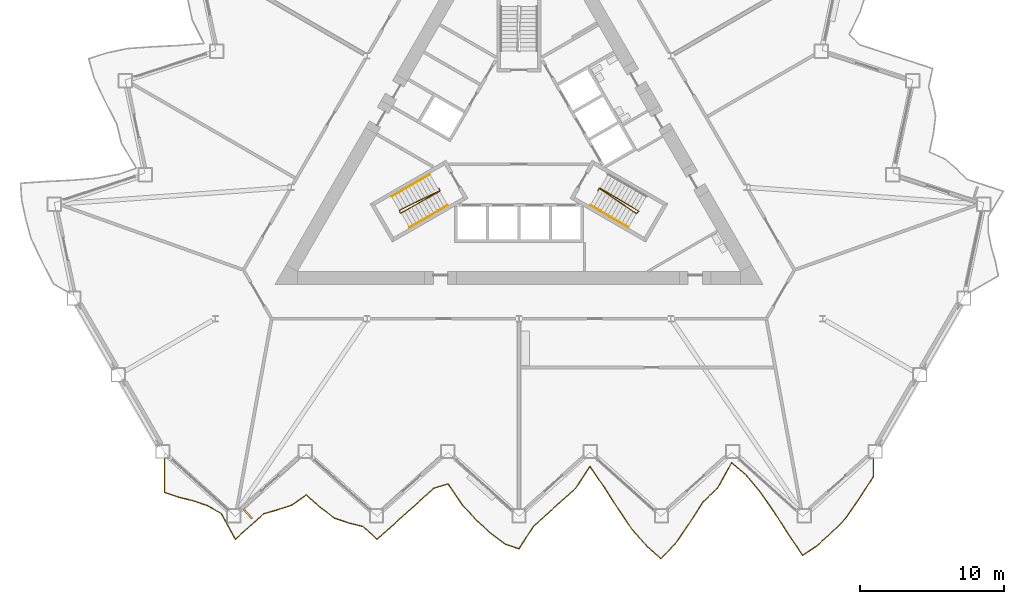
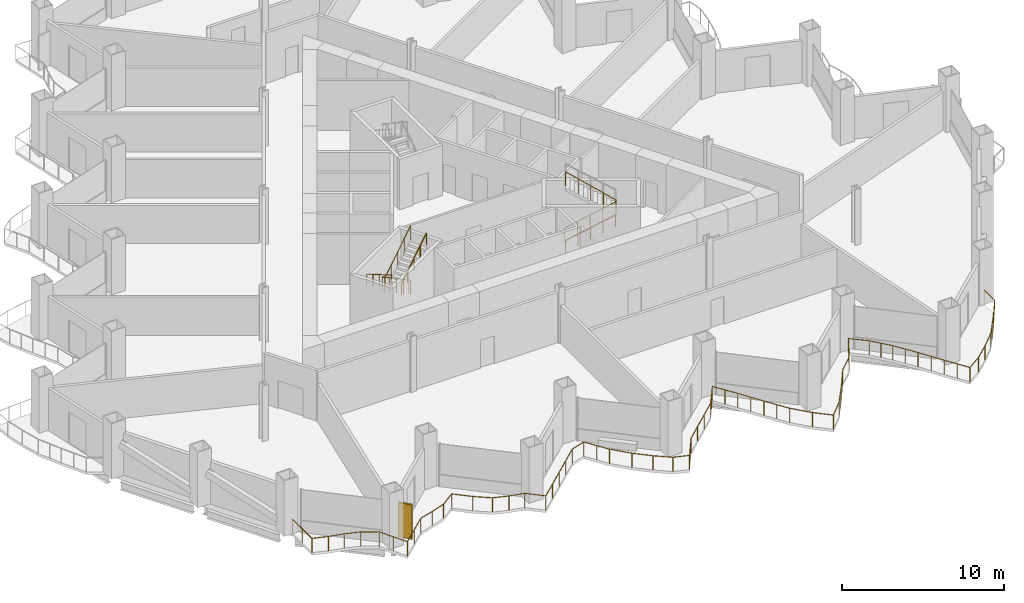
# One storey, part 17 of 21: 6 railings, 1 shading device.
"""IFC4 building model written with IfcOpenShell, lengths in metres."""

from ifc_helpers import new_model, si_unit, direction, frame, origin, origin_2d, place, context, subcontext, project, spatial, rectangle, circle, extrude, material, layer, layer_set, type_object, element, save


model = new_model("IFC4")

# Units and contexts
model_context = context("Model", 3, precision=1e-05, world=origin(), true_north=direction((0.0, 1.0)))
body_context = subcontext(model_context, "Body", "Model", "MODEL_VIEW")
ifc_project = project(units=[si_unit("LENGTHUNIT", "METRE"), si_unit("AREAUNIT", "SQUARE_METRE"), si_unit("VOLUMEUNIT", "CUBIC_METRE"), si_unit("PLANEANGLEUNIT", "RADIAN"), si_unit("MASSUNIT", "GRAM", prefix="KILO")], contexts=[model_context])

# Site, building, storey
site_placement = place(None, origin())
site = spatial("IfcSite", under=ifc_project, at=site_placement, CompositionType="ELEMENT")
building_placement = place(site_placement, origin())
building = spatial("IfcBuilding", under=site, at=building_placement, Name="Cormorant Prow Tower", CompositionType="ELEMENT")
storey_placement = place(building_placement, frame((0.0, 0.0, 76.199951171875)))
storey = spatial("IfcBuildingStorey", under=building, at=storey_placement, Name="L16", CompositionType="ELEMENT", Elevation=76.199951171875)

# Railings
ifc_material_1 = material(Name="Aluminium 6063-T6", Category="aluminium")
railing_type_1 = type_object("IfcRailingType", Name="Balcony guard 1100", PredefinedType="GUARDRAIL", material=ifc_material_1)
railing_1_placement = place(storey_placement, frame((-24.7021484375, -21.913818359375, 0.0)))
element("IfcRailing", 1, at=railing_1_placement, inside=storey, type_object=railing_type_1, Name="Balcony guard S", PredefinedType="GUARDRAIL", context=body_context, shape_type="SweptSolid", body=[
    extrude(circle(Radius=0.02392578125, at=origin_2d()), frame((0.0, 0.0, 1.076171875), z_axis=(0.0, -1.0, 0.0), x_axis=(1.0, 0.0, 0.0)), (0.0, 0.0, 1.0), 2.404052734375),
    extrude(circle(Radius=0.02392578125, at=origin_2d()), frame((0.0, -2.404052734375, 1.076171875), z_axis=(0.948190131152, -0.317703439052, 0.0), x_axis=(0.317703439052, 0.948190131152, 0.0)), (0.0, 0.0, 1.0), 1.0419921875),
    extrude(circle(Radius=0.02392578125, at=origin_2d()), frame((0.988037109375, -2.735107421875, 1.076171875), z_axis=(0.97074618977, -0.240107965397, 0.0), x_axis=(0.240107965397, 0.97074618977, 0.0)), (0.0, 0.0, 1.0), 1.017822265625),
    extrude(circle(Radius=0.02392578125, at=origin_2d()), frame((1.97607421875, -2.9794921875, 1.076171875), z_axis=(0.948636418242, -0.316368370708, 0.0), x_axis=(0.316368370708, 0.948636418242, 0.0)), (0.0, 0.0, 1.0), 1.041748046875),
    extrude(circle(Radius=0.02392578125, at=origin_2d()), frame((2.96435546875, -3.30908203125, 1.076171875), z_axis=(0.868388356242, -0.495884727273, 0.0), x_axis=(0.495884727273, 0.868388356242, 0.0)), (0.0, 0.0, 1.0), 1.1376953125),
    extrude(circle(Radius=0.02392578125, at=origin_2d()), frame((3.952392578125, -3.873291015625, 1.076171875), z_axis=(0.482179429385, -0.876072484375, 0.0), x_axis=(0.876072484375, 0.482179429385, 0.0)), (0.0, 0.0, 1.0), 2.049072265625),
    extrude(circle(Radius=0.02392578125, at=origin_2d()), frame((4.9404296875, -5.66845703125, 1.076171875), z_axis=(0.743138905534, 0.669137181064, 0.0), x_axis=(-0.669137181064, 0.743138905534, 0.0)), (0.0, 0.0, 1.0), 1.32958984375),
    extrude(circle(Radius=0.02392578125, at=origin_2d()), frame((5.928466796875, -4.77880859375, 1.076171875), z_axis=(0.743138905534, 0.669137181064, 0.0), x_axis=(-0.669137181064, 0.743138905534, 0.0)), (0.0, 0.0, 1.0), 1.32958984375),
    extrude(circle(Radius=0.02392578125, at=origin_2d()), frame((6.91650390625, -3.88916015625, 1.076171875), z_axis=(0.962042510506, 0.272899629864, 0.0), x_axis=(-0.272899629864, 0.962042510506, 0.0)), (0.0, 0.0, 1.0), 1.027099609375),
    extrude(circle(Radius=0.02392578125, at=origin_2d()), frame((7.904541015625, -3.60888671875, 1.076171875), z_axis=(0.94940785685, 0.314045731305, 0.0), x_axis=(-0.314045731305, 0.94940785685, 0.0)), (0.0, 0.0, 1.0), 1.041015625),
    extrude(circle(Radius=0.02392578125, at=origin_2d()), frame((8.892822265625, -3.281982421875, 1.076171875), z_axis=(0.811328955943, 0.584589877818, 0.0), x_axis=(-0.584589877818, 0.811328955943, 0.0)), (0.0, 0.0, 1.0), 1.2177734375),
    extrude(circle(Radius=0.02392578125, at=origin_2d()), frame((9.880859375, -2.570068359375, 1.076171875), z_axis=(0.743138905534, -0.669137181064, 0.0), x_axis=(0.669137181064, 0.743138905534, 0.0)), (0.0, 0.0, 1.0), 1.32958984375),
    extrude(circle(Radius=0.02392578125, at=origin_2d()), frame((10.868896484375, -3.459716796875, 1.076171875), z_axis=(0.800782885932, -0.598954730842, 0.0), x_axis=(0.598954730842, 0.800782885932, 0.0)), (0.0, 0.0, 1.0), 1.23388671875),
    extrude(circle(Radius=0.02392578125, at=origin_2d()), frame((11.85693359375, -4.19873046875, 1.076171875), z_axis=(0.946510188179, -0.322673927788, 0.0), x_axis=(0.322673927788, 0.946510188179, 0.0)), (0.0, 0.0, 1.0), 1.044189453125),
    extrude(circle(Radius=0.02392578125, at=origin_2d()), frame((12.84521484375, -4.53564453125, 1.076171875), z_axis=(0.97074618977, -0.240107965397, 0.0), x_axis=(0.240107965397, 0.97074618977, 0.0)), (0.0, 0.0, 1.0), 1.017822265625),
    extrude(circle(Radius=0.02392578125, at=origin_2d()), frame((13.833251953125, -4.780029296875, 1.076171875), z_axis=(0.743595566693, -0.668629668198, 0.0), x_axis=(0.668629668198, 0.743595566693, 0.0)), (0.0, 0.0, 1.0), 1.32861328125),
    extrude(circle(Radius=0.02392578125, at=origin_2d()), frame((14.8212890625, -5.66845703125, 1.076171875), z_axis=(0.743138905534, 0.669137181064, 0.0), x_axis=(-0.669137181064, 0.743138905534, 0.0)), (0.0, 0.0, 1.0), 1.32958984375),
    extrude(circle(Radius=0.02392578125, at=origin_2d()), frame((15.809326171875, -4.77880859375, 1.076171875), z_axis=(0.743138905534, 0.669137181064, 0.0), x_axis=(-0.669137181064, 0.743138905534, 0.0)), (0.0, 0.0, 1.0), 1.32958984375),
    extrude(circle(Radius=0.02392578125, at=origin_2d()), frame((16.79736328125, -3.88916015625, 1.076171875), z_axis=(0.743221106747, 0.669045877714, 0.0), x_axis=(-0.669045877714, 0.743221106747, 0.0)), (0.0, 0.0, 1.0), 1.329833984375),
    extrude(circle(Radius=0.02392578125, at=origin_2d()), frame((17.78564453125, -2.99951171875, 1.076171875), z_axis=(0.743138905534, 0.669137181064, 0.0), x_axis=(-0.669137181064, 0.743138905534, 0.0)), (0.0, 0.0, 1.0), 1.32958984375),
    extrude(circle(Radius=0.02392578125, at=origin_2d()), frame((18.773681640625, -2.10986328125, 1.076171875), z_axis=(0.956390087859, 0.292092450851, 0.0), x_axis=(-0.292092450851, 0.956390087859, 0.0)), (0.0, 0.0, 1.0), 1.033203125),
    extrude(circle(Radius=0.02392578125, at=origin_2d()), frame((19.76171875, -1.80810546875, 1.076171875), z_axis=(0.560986063044, -0.82782524549, 0.0), x_axis=(0.82782524549, 0.560986063044, 0.0)), (0.0, 0.0, 1.0), 1.76123046875),
    extrude(circle(Radius=0.02392578125, at=origin_2d()), frame((20.749755859375, -3.26611328125, 1.076171875), z_axis=(0.673890236732, -0.738831475261, 0.0), x_axis=(0.738831475261, 0.673890236732, 0.0)), (0.0, 0.0, 1.0), 1.466064453125),
    extrude(circle(Radius=0.02392578125, at=origin_2d()), frame((21.73779296875, -4.349365234375, 1.076171875), z_axis=(0.743138905534, -0.669137181064, 0.0), x_axis=(0.669137181064, 0.743138905534, 0.0)), (0.0, 0.0, 1.0), 1.32958984375),
    extrude(circle(Radius=0.02392578125, at=origin_2d()), frame((22.725830078125, -5.239013671875, 1.076171875), z_axis=(0.794976169814, -0.606640659228, 0.0), x_axis=(0.606640659228, 0.794976169814, 0.0)), (0.0, 0.0, 1.0), 1.2431640625),
    extrude(circle(Radius=0.02392578125, at=origin_2d()), frame((23.714111328125, -5.9931640625, 1.076171875), z_axis=(0.944761037783, -0.327759944909, 0.0), x_axis=(0.327759944909, 0.944761037783, 0.0)), (0.0, 0.0, 1.0), 1.0458984375),
    extrude(circle(Radius=0.02392578125, at=origin_2d()), frame((24.7021484375, -6.3359375, 1.076171875), z_axis=(0.541386229639, 0.840774018602, 0.0), x_axis=(-0.840774018602, 0.541386229639, 0.0)), (0.0, 0.0, 1.0), 1.824951171875),
    extrude(circle(Radius=0.02392578125, at=origin_2d()), frame((25.690185546875, -4.801513671875, 1.076171875), z_axis=(0.734768648646, 0.67831779644, 0.0), x_axis=(-0.67831779644, 0.734768648646, 0.0)), (0.0, 0.0, 1.0), 1.344970703125),
    extrude(circle(Radius=0.02392578125, at=origin_2d()), frame((26.678466796875, -3.88916015625, 1.076171875), z_axis=(0.743138905534, 0.669137181064, 0.0), x_axis=(-0.669137181064, 0.743138905534, 0.0)), (0.0, 0.0, 1.0), 1.32958984375),
    extrude(circle(Radius=0.02392578125, at=origin_2d()), frame((27.66650390625, -2.99951171875, 1.076171875), z_axis=(0.743138905534, 0.669137181064, 0.0), x_axis=(-0.669137181064, 0.743138905534, 0.0)), (0.0, 0.0, 1.0), 1.32958984375),
    extrude(circle(Radius=0.02392578125, at=origin_2d()), frame((28.654541015625, -2.10986328125, 1.076171875), z_axis=(0.547096376905, 0.837069623375, 0.0), x_axis=(-0.837069623375, 0.547096376905, 0.0)), (0.0, 0.0, 1.0), 1.805908203125),
    extrude(circle(Radius=0.02392578125, at=origin_2d()), frame((29.642578125, -0.59814453125, 1.076171875), z_axis=(0.567480618959, -0.823386754269, 0.0), x_axis=(0.823386754269, 0.567480618959, 0.0)), (0.0, 0.0, 1.0), 1.7412109375),
    extrude(circle(Radius=0.02392578125, at=origin_2d()), frame((30.630615234375, -2.03173828125, 1.076171875), z_axis=(0.541447127104, -0.840734802748, 0.0), x_axis=(0.840734802748, 0.541447127104, 0.0)), (0.0, 0.0, 1.0), 1.82470703125),
    extrude(circle(Radius=0.02392578125, at=origin_2d()), frame((31.61865234375, -3.56591796875, 1.076171875), z_axis=(0.559667552129, -0.828717220223, 0.0), x_axis=(0.828717220223, 0.559667552129, 0.0)), (0.0, 0.0, 1.0), 1.765869140625),
    extrude(circle(Radius=0.02392578125, at=origin_2d()), frame((32.60693359375, -5.029296875, 1.076171875), z_axis=(0.668444418094, -0.743762099006, 0.0), x_axis=(0.743762099006, 0.668444418094, 0.0)), (0.0, 0.0, 1.0), 1.47802734375),
    extrude(circle(Radius=0.02392578125, at=origin_2d()), frame((33.594970703125, -6.128662109375, 1.076171875), z_axis=(0.743047599076, -0.669238571443, 0.0), x_axis=(0.669238571443, 0.743047599076, 0.0)), (0.0, 0.0, 1.0), 1.32958984375),
    extrude(circle(Radius=0.02392578125, at=origin_2d()), frame((34.5830078125, -7.0185546875, 1.076171875), z_axis=(0.699115669359, 0.71500858796, 0.0), x_axis=(-0.71500858796, 0.699115669359, 0.0)), (0.0, 0.0, 1.0), 1.413330078125),
    extrude(circle(Radius=0.02392578125, at=origin_2d()), frame((35.571044921875, -6.008056640625, 1.076171875), z_axis=(0.568333352067, 0.822798396284, 0.0), x_axis=(-0.822798396284, 0.568333352067, 0.0)), (0.0, 0.0, 1.0), 1.738525390625),
    extrude(circle(Radius=0.02392578125, at=origin_2d()), frame((36.55908203125, -4.57763671875, 1.076171875), z_axis=(0.541602594243, 0.840634658999, 0.0), x_axis=(-0.840634658999, 0.541602594243, 0.0)), (0.0, 0.0, 1.0), 1.82470703125),
    extrude(circle(Radius=0.02392578125, at=origin_2d()), frame((37.54736328125, -3.043701171875, 1.076171875), z_axis=(0.726759113227, 0.686892416134, 0.0), x_axis=(-0.686892416134, 0.726759113227, 0.0)), (0.0, 0.0, 1.0), 1.359619140625),
    extrude(circle(Radius=0.02392578125, at=origin_2d()), frame((38.535400390625, -2.10986328125, 1.076171875), z_axis=(0.486132407498, 0.873885165443, 0.0), x_axis=(-0.873885165443, 0.486132407498, 0.0)), (0.0, 0.0, 1.0), 2.032470703125),
    extrude(circle(Radius=0.02392578125, at=origin_2d()), frame((39.5234375, -0.333740234375, 1.076171875), z_axis=(0.75757593493, -0.652747043514, 0.0), x_axis=(0.652747043514, 0.75757593493, 0.0)), (0.0, 0.0, 1.0), 1.30419921875),
    extrude(circle(Radius=0.02392578125, at=origin_2d()), frame((40.511474609375, -1.18505859375, 1.076171875), z_axis=(0.642804697736, -0.766030104219, 0.0), x_axis=(0.766030104219, 0.642804697736, 0.0)), (0.0, 0.0, 1.0), 1.537353515625),
    extrude(circle(Radius=0.02392578125, at=origin_2d()), frame((41.499755859375, -2.36279296875, 1.076171875), z_axis=(0.569122223607, -0.822252938332, 0.0), x_axis=(0.822252938332, 0.569122223607, 0.0)), (0.0, 0.0, 1.0), 1.736083984375),
    extrude(circle(Radius=0.02392578125, at=origin_2d()), frame((42.48779296875, -3.790283203125, 1.076171875), z_axis=(0.541568954613, -0.840656331327, 0.0), x_axis=(0.840656331327, 0.541568954613, 0.0)), (0.0, 0.0, 1.0), 1.824462890625),
    extrude(circle(Radius=0.02392578125, at=origin_2d()), frame((43.475830078125, -5.323974609375, 1.076171875), z_axis=(0.558292379585, -0.829644272503, 0.0), x_axis=(0.829644272503, 0.558292379585, 0.0)), (0.0, 0.0, 1.0), 1.769775390625),
    extrude(circle(Radius=0.02392578125, at=origin_2d()), frame((44.4638671875, -6.792236328125, 1.076171875), z_axis=(0.830151959894, 0.55753719471, 0.0), x_axis=(-0.55753719471, 0.830151959894, 0.0)), (0.0, 0.0, 1.0), 1.190185546875),
    extrude(circle(Radius=0.02392578125, at=origin_2d()), frame((45.451904296875, -6.128662109375, 1.076171875), z_axis=(0.743138905534, 0.669137181064, 0.0), x_axis=(-0.669137181064, 0.743138905534, 0.0)), (0.0, 0.0, 1.0), 1.32958984375),
    extrude(circle(Radius=0.02392578125, at=origin_2d()), frame((46.43994140625, -5.239013671875, 1.076171875), z_axis=(0.704404436261, 0.709798837823, 0.0), x_axis=(-0.709798837823, 0.704404436261, 0.0)), (0.0, 0.0, 1.0), 1.403076171875),
    extrude(circle(Radius=0.02392578125, at=origin_2d()), frame((47.42822265625, -4.2431640625, 1.076171875), z_axis=(0.570044680317, 0.821613694166, 0.0), x_axis=(-0.821613694166, 0.570044680317, 0.0)), (0.0, 0.0, 1.0), 1.733154296875),
    extrude(circle(Radius=0.02392578125, at=origin_2d()), frame((48.416259765625, -2.819091796875, 1.076171875), z_axis=(0.541690825575, 0.840577806921, 0.0), x_axis=(-0.840577806921, 0.541690825575, 0.0)), (0.0, 0.0, 1.0), 1.823974609375),
    extrude(circle(Radius=0.02392578125, at=origin_2d()), frame((49.404296875, -1.285888671875, 1.076171875), z_axis=(0.0, 1.0, 0.0), x_axis=(-1.0, 0.0, 0.0)), (0.0, 0.0, 1.0), 1.285888671875),
    extrude(circle(Radius=0.02099609375, at=origin_2d()), origin(), (0.0, 0.0, 1.0), 1.052001953125),
    extrude(circle(Radius=0.02099609375, at=origin_2d()), frame((0.0, -1.2021484375, 0.0)), (0.0, 0.0, 1.0), 1.052001953125),
    extrude(circle(Radius=0.02099609375, at=origin_2d()), frame((0.0, -2.404052734375, 0.0)), (0.0, 0.0, 1.0), 1.052001953125),
    extrude(circle(Radius=0.02099609375, at=origin_2d()), frame((0.988037109375, -2.735107421875, 0.0)), (0.0, 0.0, 1.0), 1.052001953125),
    extrude(circle(Radius=0.02099609375, at=origin_2d()), frame((1.97607421875, -2.9794921875, 0.0)), (0.0, 0.0, 1.0), 1.052001953125),
    extrude(circle(Radius=0.02099609375, at=origin_2d()), frame((2.96435546875, -3.30908203125, 0.0)), (0.0, 0.0, 1.0), 1.052001953125),
    extrude(circle(Radius=0.02099609375, at=origin_2d()), frame((3.952392578125, -3.873291015625, 0.0)), (0.0, 0.0, 1.0), 1.052001953125),
    extrude(circle(Radius=0.02099609375, at=origin_2d()), frame((4.4462890625, -4.77099609375, 0.0)), (0.0, 0.0, 1.0), 1.052001953125),
    extrude(circle(Radius=0.02099609375, at=origin_2d()), frame((4.9404296875, -5.66845703125, 0.0)), (0.0, 0.0, 1.0), 1.052001953125),
    extrude(circle(Radius=0.02099609375, at=origin_2d()), frame((5.928466796875, -4.77880859375, 0.0)), (0.0, 0.0, 1.0), 1.052001953125),
    extrude(circle(Radius=0.02099609375, at=origin_2d()), frame((6.91650390625, -3.88916015625, 0.0)), (0.0, 0.0, 1.0), 1.052001953125),
    extrude(circle(Radius=0.02099609375, at=origin_2d()), frame((7.904541015625, -3.60888671875, 0.0)), (0.0, 0.0, 1.0), 1.052001953125),
    extrude(circle(Radius=0.02099609375, at=origin_2d()), frame((8.892822265625, -3.281982421875, 0.0)), (0.0, 0.0, 1.0), 1.052001953125),
    extrude(circle(Radius=0.02099609375, at=origin_2d()), frame((9.880859375, -2.570068359375, 0.0)), (0.0, 0.0, 1.0), 1.052001953125),
    extrude(circle(Radius=0.02099609375, at=origin_2d()), frame((10.868896484375, -3.459716796875, 0.0)), (0.0, 0.0, 1.0), 1.052001953125),
    extrude(circle(Radius=0.02099609375, at=origin_2d()), frame((11.85693359375, -4.19873046875, 0.0)), (0.0, 0.0, 1.0), 1.052001953125),
    extrude(circle(Radius=0.02099609375, at=origin_2d()), frame((12.84521484375, -4.53564453125, 0.0)), (0.0, 0.0, 1.0), 1.052001953125),
    extrude(circle(Radius=0.02099609375, at=origin_2d()), frame((13.833251953125, -4.780029296875, 0.0)), (0.0, 0.0, 1.0), 1.052001953125),
    extrude(circle(Radius=0.02099609375, at=origin_2d()), frame((14.8212890625, -5.66845703125, 0.0)), (0.0, 0.0, 1.0), 1.052001953125),
    extrude(circle(Radius=0.02099609375, at=origin_2d()), frame((15.809326171875, -4.77880859375, 0.0)), (0.0, 0.0, 1.0), 1.052001953125),
    extrude(circle(Radius=0.02099609375, at=origin_2d()), frame((16.79736328125, -3.88916015625, 0.0)), (0.0, 0.0, 1.0), 1.052001953125),
    extrude(circle(Radius=0.02099609375, at=origin_2d()), frame((17.78564453125, -2.99951171875, 0.0)), (0.0, 0.0, 1.0), 1.052001953125),
    extrude(circle(Radius=0.02099609375, at=origin_2d()), frame((18.773681640625, -2.10986328125, 0.0)), (0.0, 0.0, 1.0), 1.052001953125),
    extrude(circle(Radius=0.02099609375, at=origin_2d()), frame((19.76171875, -1.80810546875, 0.0)), (0.0, 0.0, 1.0), 1.052001953125),
    extrude(circle(Radius=0.02099609375, at=origin_2d()), frame((20.255859375, -2.537109375, 0.0)), (0.0, 0.0, 1.0), 1.052001953125),
    extrude(circle(Radius=0.02099609375, at=origin_2d()), frame((20.749755859375, -3.26611328125, 0.0)), (0.0, 0.0, 1.0), 1.052001953125),
    extrude(circle(Radius=0.02099609375, at=origin_2d()), frame((21.73779296875, -4.349365234375, 0.0)), (0.0, 0.0, 1.0), 1.052001953125),
    extrude(circle(Radius=0.02099609375, at=origin_2d()), frame((22.725830078125, -5.239013671875, 0.0)), (0.0, 0.0, 1.0), 1.052001953125),
    extrude(circle(Radius=0.02099609375, at=origin_2d()), frame((23.714111328125, -5.9931640625, 0.0)), (0.0, 0.0, 1.0), 1.052001953125),
    extrude(circle(Radius=0.02099609375, at=origin_2d()), frame((24.7021484375, -6.3359375, 0.0)), (0.0, 0.0, 1.0), 1.052001953125),
    extrude(circle(Radius=0.02099609375, at=origin_2d()), frame((25.1962890625, -5.56884765625, 0.0)), (0.0, 0.0, 1.0), 1.052001953125),
    extrude(circle(Radius=0.02099609375, at=origin_2d()), frame((25.690185546875, -4.801513671875, 0.0)), (0.0, 0.0, 1.0), 1.052001953125),
    extrude(circle(Radius=0.02099609375, at=origin_2d()), frame((26.678466796875, -3.88916015625, 0.0)), (0.0, 0.0, 1.0), 1.052001953125),
    extrude(circle(Radius=0.02099609375, at=origin_2d()), frame((27.66650390625, -2.99951171875, 0.0)), (0.0, 0.0, 1.0), 1.052001953125),
    extrude(circle(Radius=0.02099609375, at=origin_2d()), frame((28.654541015625, -2.10986328125, 0.0)), (0.0, 0.0, 1.0), 1.052001953125),
    extrude(circle(Radius=0.02099609375, at=origin_2d()), frame((29.1484375, -1.35400390625, 0.0)), (0.0, 0.0, 1.0), 1.052001953125),
    extrude(circle(Radius=0.02099609375, at=origin_2d()), frame((29.642578125, -0.59814453125, 0.0)), (0.0, 0.0, 1.0), 1.052001953125),
    extrude(circle(Radius=0.02099609375, at=origin_2d()), frame((30.13671875, -1.31494140625, 0.0)), (0.0, 0.0, 1.0), 1.052001953125),
    extrude(circle(Radius=0.02099609375, at=origin_2d()), frame((30.630615234375, -2.03173828125, 0.0)), (0.0, 0.0, 1.0), 1.052001953125),
    extrude(circle(Radius=0.02099609375, at=origin_2d()), frame((31.12451171875, -2.798828125, 0.0)), (0.0, 0.0, 1.0), 1.052001953125),
    extrude(circle(Radius=0.02099609375, at=origin_2d()), frame((31.61865234375, -3.56591796875, 0.0)), (0.0, 0.0, 1.0), 1.052001953125),
    extrude(circle(Radius=0.02099609375, at=origin_2d()), frame((32.11279296875, -4.297607421875, 0.0)), (0.0, 0.0, 1.0), 1.052001953125),
    extrude(circle(Radius=0.02099609375, at=origin_2d()), frame((32.60693359375, -5.029296875, 0.0)), (0.0, 0.0, 1.0), 1.052001953125),
    extrude(circle(Radius=0.02099609375, at=origin_2d()), frame((33.594970703125, -6.128662109375, 0.0)), (0.0, 0.0, 1.0), 1.052001953125),
    extrude(circle(Radius=0.02099609375, at=origin_2d()), frame((34.5830078125, -7.0185546875, 0.0)), (0.0, 0.0, 1.0), 1.052001953125),
    extrude(circle(Radius=0.02099609375, at=origin_2d()), frame((35.571044921875, -6.008056640625, 0.0)), (0.0, 0.0, 1.0), 1.052001953125),
    extrude(circle(Radius=0.02099609375, at=origin_2d()), frame((36.06494140625, -5.29296875, 0.0)), (0.0, 0.0, 1.0), 1.052001953125),
    extrude(circle(Radius=0.02099609375, at=origin_2d()), frame((36.55908203125, -4.57763671875, 0.0)), (0.0, 0.0, 1.0), 1.052001953125),
    extrude(circle(Radius=0.02099609375, at=origin_2d()), frame((37.05322265625, -3.810546875, 0.0)), (0.0, 0.0, 1.0), 1.052001953125),
    extrude(circle(Radius=0.02099609375, at=origin_2d()), frame((37.54736328125, -3.043701171875, 0.0)), (0.0, 0.0, 1.0), 1.052001953125),
    extrude(circle(Radius=0.02099609375, at=origin_2d()), frame((38.535400390625, -2.10986328125, 0.0)), (0.0, 0.0, 1.0), 1.052001953125),
    extrude(circle(Radius=0.02099609375, at=origin_2d()), frame((39.029296875, -1.2216796875, 0.0)), (0.0, 0.0, 1.0), 1.052001953125),
    extrude(circle(Radius=0.02099609375, at=origin_2d()), frame((39.5234375, -0.333740234375, 0.0)), (0.0, 0.0, 1.0), 1.052001953125),
    extrude(circle(Radius=0.02099609375, at=origin_2d()), frame((40.511474609375, -1.18505859375, 0.0)), (0.0, 0.0, 1.0), 1.052001953125),
    extrude(circle(Radius=0.02099609375, at=origin_2d()), frame((41.005615234375, -1.77392578125, 0.0)), (0.0, 0.0, 1.0), 1.052001953125),
    extrude(circle(Radius=0.02099609375, at=origin_2d()), frame((41.499755859375, -2.36279296875, 0.0)), (0.0, 0.0, 1.0), 1.052001953125),
    extrude(circle(Radius=0.02099609375, at=origin_2d()), frame((41.99365234375, -3.07666015625, 0.0)), (0.0, 0.0, 1.0), 1.052001953125),
    extrude(circle(Radius=0.02099609375, at=origin_2d()), frame((42.48779296875, -3.790283203125, 0.0)), (0.0, 0.0, 1.0), 1.052001953125),
    extrude(circle(Radius=0.02099609375, at=origin_2d()), frame((42.98193359375, -4.55712890625, 0.0)), (0.0, 0.0, 1.0), 1.052001953125),
    extrude(circle(Radius=0.02099609375, at=origin_2d()), frame((43.475830078125, -5.323974609375, 0.0)), (0.0, 0.0, 1.0), 1.052001953125),
    extrude(circle(Radius=0.02099609375, at=origin_2d()), frame((43.9697265625, -6.05810546875, 0.0)), (0.0, 0.0, 1.0), 1.052001953125),
    extrude(circle(Radius=0.02099609375, at=origin_2d()), frame((44.4638671875, -6.792236328125, 0.0)), (0.0, 0.0, 1.0), 1.052001953125),
    extrude(circle(Radius=0.02099609375, at=origin_2d()), frame((45.451904296875, -6.128662109375, 0.0)), (0.0, 0.0, 1.0), 1.052001953125),
    extrude(circle(Radius=0.02099609375, at=origin_2d()), frame((46.43994140625, -5.239013671875, 0.0)), (0.0, 0.0, 1.0), 1.052001953125),
    extrude(circle(Radius=0.02099609375, at=origin_2d()), frame((47.42822265625, -4.2431640625, 0.0)), (0.0, 0.0, 1.0), 1.052001953125),
    extrude(circle(Radius=0.02099609375, at=origin_2d()), frame((47.92236328125, -3.53125, 0.0)), (0.0, 0.0, 1.0), 1.052001953125),
    extrude(circle(Radius=0.02099609375, at=origin_2d()), frame((48.416259765625, -2.819091796875, 0.0)), (0.0, 0.0, 1.0), 1.052001953125),
    extrude(circle(Radius=0.02099609375, at=origin_2d()), frame((48.91015625, -2.052490234375, 0.0)), (0.0, 0.0, 1.0), 1.052001953125),
    extrude(circle(Radius=0.02099609375, at=origin_2d()), frame((49.404296875, -1.285888671875, 0.0)), (0.0, 0.0, 1.0), 1.052001953125),
    extrude(circle(Radius=0.02099609375, at=origin_2d()), frame((49.404296875, 0.0, 0.0)), (0.0, 0.0, 1.0), 1.052001953125),
])
ifc_material_2 = material(Name="Stainless steel", Category="steel")
railing_type_2 = type_object("IfcRailingType", Name="Stair guard 1100", PredefinedType="GUARDRAIL", material=ifc_material_2)
railing_2_placement = place(storey_placement, frame((-5.585205078125, -3.137939453125, 0.0)))
element("IfcRailing", 2, at=railing_2_placement, inside=storey, type_object=railing_type_2, Name="L16 ST1 stair guard 1", PredefinedType="GUARDRAIL", context=body_context, shape_type="SweptSolid", body=[
    extrude(circle(Radius=0.02392578125, at=origin_2d()), frame((0.0, 0.0, 1.076171875), z_axis=(0.501036270542, -0.865426285481, 0.0), x_axis=(0.865426285481, 0.501036270542, 0.0)), (0.0, 0.0, 1.0), 0.150146484375),
    extrude(circle(Radius=0.02392578125, at=origin_2d()), frame((0.0751953125, -0.1298828125, 1.076171875), z_axis=(-0.744644002882, -0.368732342607, 0.556364780057), x_axis=(0.443754251299, -0.896148516963, 0.0)), (0.0, 0.0, 1.0), 3.774658203125),
    extrude(circle(Radius=0.02392578125, at=origin_2d()), frame((-2.735595703125, -1.521728515625, 3.17626953125), z_axis=(0.274721127897, -0.961523947641, 0.0), x_axis=(0.961523947641, 0.274721127897, 0.0)), (0.0, 0.0, 1.0), 0.2060546875),
    extrude(circle(Radius=0.02392578125, at=origin_2d()), frame((-2.678955078125, -1.719970703125, 3.17626953125), z_axis=(0.725764528363, 0.403684660475, 0.557049857973), x_axis=(-0.486086505765, 0.873910698477, 0.0)), (0.0, 0.0, 1.0), 3.76953125),
    extrude(circle(Radius=0.02099609375, at=origin_2d()), origin(), (0.0, 0.0, 1.0), 1.052001953125),
    extrude(circle(Radius=0.02099609375, at=origin_2d()), frame((0.0751953125, -0.1298828125, 0.0)), (0.0, 0.0, 1.0), 1.052001953125),
    extrude(circle(Radius=0.02099609375, at=origin_2d()), frame((-0.62744140625, -0.477783203125, 0.52490234375)), (0.0, 0.0, 1.0), 1.052001953125),
    extrude(circle(Radius=0.02099609375, at=origin_2d()), frame((-1.330078125, -0.82568359375, 1.050048828125)), (0.0, 0.0, 1.0), 1.052001953125),
    extrude(circle(Radius=0.02099609375, at=origin_2d()), frame((-2.032958984375, -1.173828125, 1.5751953125)), (0.0, 0.0, 1.0), 1.052001953125),
    extrude(circle(Radius=0.02099609375, at=origin_2d()), frame((-2.735595703125, -1.521728515625, 2.10009765625)), (0.0, 0.0, 1.0), 1.052001953125),
    extrude(circle(Radius=0.02099609375, at=origin_2d()), frame((-2.678955078125, -1.719970703125, 2.10009765625)), (0.0, 0.0, 1.0), 1.052001953125),
    extrude(circle(Radius=0.02099609375, at=origin_2d()), frame((-1.9951171875, -1.339599609375, 2.625)), (0.0, 0.0, 1.0), 1.052001953125),
    extrude(circle(Radius=0.02099609375, at=origin_2d()), frame((-1.31103515625, -0.958984375, 3.14990234375)), (0.0, 0.0, 1.0), 1.052001953125),
    extrude(circle(Radius=0.02099609375, at=origin_2d()), frame((-0.626953125, -0.57861328125, 3.675048828125)), (0.0, 0.0, 1.0), 1.052001953125),
    extrude(circle(Radius=0.02099609375, at=origin_2d()), frame((0.056884765625, -0.1982421875, 4.199951171875)), (0.0, 0.0, 1.0), 1.052001953125),
])
railing_3_placement = place(storey_placement, frame((5.510009765625, -3.267822265625, 0.0)))
element("IfcRailing", 3, at=railing_3_placement, inside=storey, type_object=railing_type_2, Name="L16 ST2 stair guard 1", PredefinedType="GUARDRAIL", context=body_context, shape_type="SweptSolid", body=[
    extrude(circle(Radius=0.02392578125, at=origin_2d()), frame((0.0, 0.0, 1.076171875), z_axis=(0.501036270542, 0.865426285481, 0.0), x_axis=(-0.865426285481, 0.501036270542, 0.0)), (0.0, 0.0, 1.0), 0.150146484375),
    extrude(circle(Radius=0.02392578125, at=origin_2d()), frame((0.0751953125, 0.1298828125, 1.076171875), z_axis=(0.691630634645, -0.46052652377, 0.556383308633), x_axis=(0.554233058506, 0.832361530141, 0.0)), (0.0, 0.0, 1.0), 3.774658203125),
    extrude(circle(Radius=0.02392578125, at=origin_2d()), frame((2.685791015625, -1.6083984375, 3.17626953125), z_axis=(0.695164929852, 0.718850276695, 0.0), x_axis=(-0.718850276695, 0.695164929852, 0.0)), (0.0, 0.0, 1.0), 0.2060546875),
    extrude(circle(Radius=0.02392578125, at=origin_2d()), frame((2.8291015625, -1.460205078125, 3.17626953125), z_axis=(-0.712489022558, 0.426677363931, 0.55705100291), x_axis=(-0.513773053629, -0.857926132814, 0.0)), (0.0, 0.0, 1.0), 3.76953125),
    extrude(circle(Radius=0.02099609375, at=origin_2d()), origin(), (0.0, 0.0, 1.0), 1.052001953125),
    extrude(circle(Radius=0.02099609375, at=origin_2d()), frame((0.0751953125, 0.1298828125, 0.0)), (0.0, 0.0, 1.0), 1.052001953125),
    extrude(circle(Radius=0.02099609375, at=origin_2d()), frame((0.727783203125, -0.3046875, 0.52490234375)), (0.0, 0.0, 1.0), 1.052001953125),
    extrude(circle(Radius=0.02099609375, at=origin_2d()), frame((1.38037109375, -0.7392578125, 1.050048828125)), (0.0, 0.0, 1.0), 1.052001953125),
    extrude(circle(Radius=0.02099609375, at=origin_2d()), frame((2.033203125, -1.173828125, 1.5751953125)), (0.0, 0.0, 1.0), 1.052001953125),
    extrude(circle(Radius=0.02099609375, at=origin_2d()), frame((2.685791015625, -1.6083984375, 2.10009765625)), (0.0, 0.0, 1.0), 1.052001953125),
    extrude(circle(Radius=0.02099609375, at=origin_2d()), frame((2.8291015625, -1.460205078125, 2.10009765625)), (0.0, 0.0, 1.0), 1.052001953125),
    extrude(circle(Radius=0.02099609375, at=origin_2d()), frame((2.15771484375, -1.05810546875, 2.625)), (0.0, 0.0, 1.0), 1.052001953125),
    extrude(circle(Radius=0.02099609375, at=origin_2d()), frame((1.486328125, -0.656005859375, 3.14990234375)), (0.0, 0.0, 1.0), 1.052001953125),
    extrude(circle(Radius=0.02099609375, at=origin_2d()), frame((0.814697265625, -0.25390625, 3.675048828125)), (0.0, 0.0, 1.0), 1.052001953125),
    extrude(circle(Radius=0.02099609375, at=origin_2d()), frame((0.143310546875, 0.148193359375, 4.199951171875)), (0.0, 0.0, 1.0), 1.052001953125),
])
ifc_material_3 = material(Name="Stainless steel", Category="steel")
railing_type_3 = type_object("IfcRailingType", Name="Stair handrail 900", PredefinedType="HANDRAIL", material=ifc_material_3)
railing_4_placement = place(storey_placement, frame((-6.212890625, -2.150634765625, 0.175048828125)))
element("IfcRailing", 4, at=railing_4_placement, inside=storey, type_object=railing_type_3, Name="L16 ST1 stair handrail 1", PredefinedType="HANDRAIL", context=body_context, shape_type="SweptSolid", body=[
    extrude(circle(Radius=0.02392578125, at=origin_2d()), frame((0.0, 0.0, 0.8759765625), z_axis=(-0.734394994316, -0.423994474112, 0.52999309264), x_axis=(0.499992328818, -0.866029832698, 0.0)), (0.0, 0.0, 1.0), 3.63232421875),
    extrude(circle(Radius=0.02099609375, at=origin_2d()), origin(), (0.0, 0.0, 1.0), 0.851806640625),
    extrude(circle(Radius=0.02099609375, at=origin_2d()), frame((-0.6669921875, -0.385009765625, 0.481201171875)), (0.0, 0.0, 1.0), 0.851806640625),
    extrude(circle(Radius=0.02099609375, at=origin_2d()), frame((-1.333740234375, -0.77001953125, 0.96240234375)), (0.0, 0.0, 1.0), 0.851806640625),
    extrude(circle(Radius=0.02099609375, at=origin_2d()), frame((-2.00048828125, -1.155029296875, 1.44384765625)), (0.0, 0.0, 1.0), 0.851806640625),
    extrude(circle(Radius=0.02099609375, at=origin_2d()), frame((-2.66748046875, -1.5400390625, 1.925048828125)), (0.0, 0.0, 1.0), 0.851806640625),
])
railing_5_placement = place(storey_placement, frame((-7.63623046875, -5.84521484375, 2.275146484375)))
element("IfcRailing", 5, at=railing_5_placement, inside=storey, type_object=railing_type_3, Name="L16 ST1 stair handrail 2", PredefinedType="HANDRAIL", context=body_context, shape_type="SweptSolid", body=[
    extrude(circle(Radius=0.02392578125, at=origin_2d()), frame((0.0, 0.0, 0.8759765625), z_axis=(0.734390191396, 0.42403051051, 0.529970917068), x_axis=(-0.500026652407, 0.866010015463, 0.0)), (0.0, 0.0, 1.0), 3.6318359375),
    extrude(circle(Radius=0.02099609375, at=origin_2d()), origin(), (0.0, 0.0, 1.0), 0.851806640625),
    extrude(circle(Radius=0.02099609375, at=origin_2d()), frame((0.666748046875, 0.385009765625, 0.481201171875)), (0.0, 0.0, 1.0), 0.851806640625),
    extrude(circle(Radius=0.02099609375, at=origin_2d()), frame((1.33349609375, 0.77001953125, 0.96240234375)), (0.0, 0.0, 1.0), 0.851806640625),
    extrude(circle(Radius=0.02099609375, at=origin_2d()), frame((2.00048828125, 1.155029296875, 1.443603515625)), (0.0, 0.0, 1.0), 0.851806640625),
    extrude(circle(Radius=0.02099609375, at=origin_2d()), frame((2.667236328125, 1.5400390625, 1.9248046875)), (0.0, 0.0, 1.0), 0.851806640625),
])
railing_6_placement = place(storey_placement, frame((4.968994140625, -4.30517578125, 0.175048828125)))
element("IfcRailing", 6, at=railing_6_placement, inside=storey, type_object=railing_type_3, Name="L16 ST2 stair handrail 1", PredefinedType="HANDRAIL", context=body_context, shape_type="SweptSolid", body=[
    extrude(circle(Radius=0.02392578125, at=origin_2d()), frame((0.0, 0.0, 0.8759765625), z_axis=(0.734364028329, -0.424015404183, 0.530019255228), x_axis=(0.500026652407, 0.866010015463, 0.0)), (0.0, 0.0, 1.0), 3.632080078125),
    extrude(circle(Radius=0.02099609375, at=origin_2d()), origin(), (0.0, 0.0, 1.0), 0.851806640625),
    extrude(circle(Radius=0.02099609375, at=origin_2d()), frame((0.666748046875, -0.385009765625, 0.481201171875)), (0.0, 0.0, 1.0), 0.851806640625),
    extrude(circle(Radius=0.02099609375, at=origin_2d()), frame((1.33349609375, -0.77001953125, 0.96240234375)), (0.0, 0.0, 1.0), 0.851806640625),
    extrude(circle(Radius=0.02099609375, at=origin_2d()), frame((2.00048828125, -1.155029296875, 1.44384765625)), (0.0, 0.0, 1.0), 0.851806640625),
    extrude(circle(Radius=0.02099609375, at=origin_2d()), frame((2.667236328125, -1.5400390625, 1.925048828125)), (0.0, 0.0, 1.0), 0.851806640625),
])

# Shading device
ifc_material_4 = material(Name="Terracotta", Category="masonry")
ifc_layer = layer(ifc_material_4, 0.1201171875)
ifc_layer_set = layer_set([ifc_layer], Name="Terracotta")
shading_device_type = type_object("IfcShadingDeviceType", Name="Terracotta baguette fin 120x900x2600", PredefinedType="USERDEFINED", material=ifc_layer_set)
shading_device_placement = place(storey_placement, frame((-18.8935546875, -25.80615234375, 0.0), z_axis=(0.0, 0.0, 1.0), x_axis=(0.743144881885, 0.669130543712, 0.0)))
element("IfcShadingDevice", 7, at=shading_device_placement, inside=storey, type_object=shading_device_type, Name="Baguette fin S01", ObjectType="BAGUETTE", PredefinedType="USERDEFINED", context=body_context, shape_type="SweptSolid", body=[
    extrude(rectangle(XDim=0.1201171875, YDim=0.89990234375, at=origin_2d()), origin(), (0.0, 0.0, 1.0), 2.60009765625),
])

save(model, "model.ifc")
